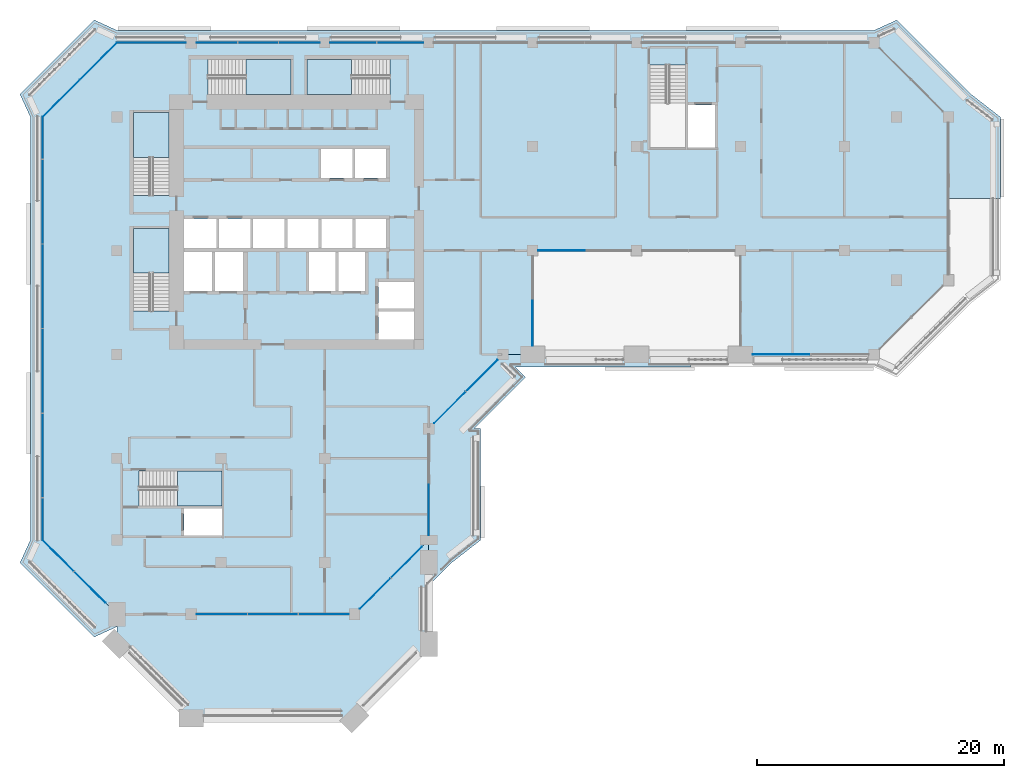
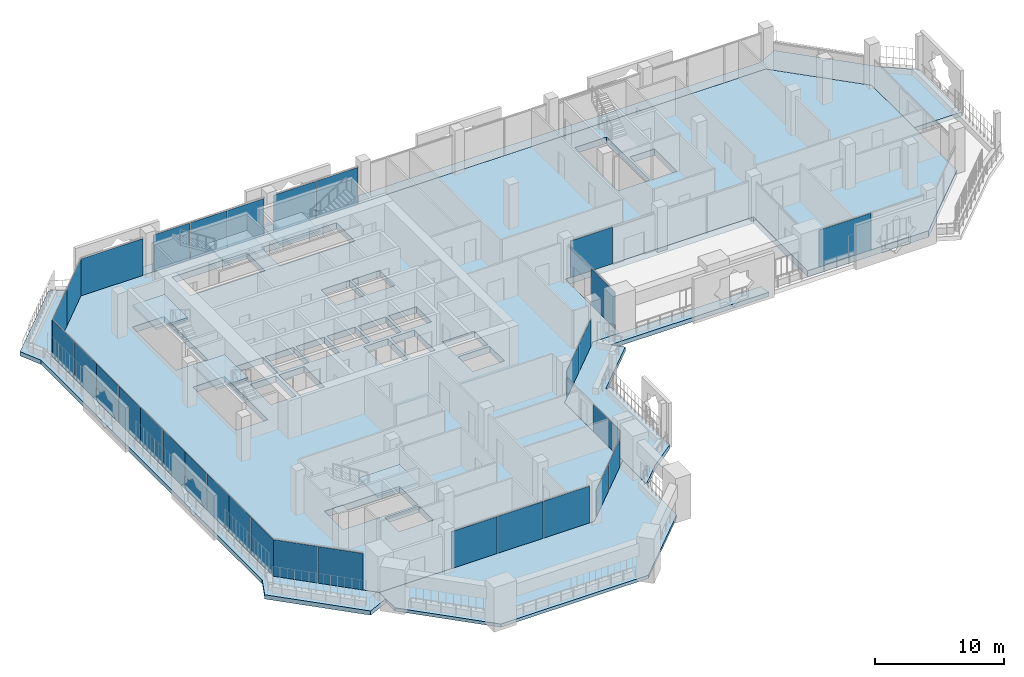
# One storey, part 10 of 24: 31 plates, 9 slabs, 16 elements without a shape of their own.
"""IFC4 building model written with IfcOpenShell, lengths in metres."""

from ifc_helpers import new_model, si_unit, direction, frame, origin, origin_2d, place, context, subcontext, project, spatial, polyline, rectangle, outline, extrude, material, layer, layer_set, type_object, element, aggregate, save


model = new_model("IFC4")

# Units and contexts
model_context = context("Model", 3, precision=1e-05, world=origin(), true_north=direction((0.0, 1.0)))
body_context = subcontext(model_context, "Body", "Model", "MODEL_VIEW")
ifc_project = project(units=[si_unit("LENGTHUNIT", "METRE"), si_unit("AREAUNIT", "SQUARE_METRE"), si_unit("VOLUMEUNIT", "CUBIC_METRE"), si_unit("PLANEANGLEUNIT", "RADIAN"), si_unit("MASSUNIT", "GRAM", prefix="KILO")], contexts=[model_context])

# Site, building, storey
site_placement = place(None, origin())
site = spatial("IfcSite", under=ifc_project, at=site_placement, CompositionType="ELEMENT")
building_placement = place(site_placement, origin())
building = spatial("IfcBuilding", under=site, at=building_placement, Name="Kawkab Arch Medical Tower", CompositionType="ELEMENT")
storey_placement = place(building_placement, frame((0.0, 0.0, 218.0)))
storey = spatial("IfcBuildingStorey", under=building, at=storey_placement, Name="L50", CompositionType="ELEMENT", Elevation=218.0)

# Curtain wall, plate
ifc_material_1 = material(Name="Bronze anodised aluminium curtain wall frame", Category="aluminium")
ifc_layer_1 = layer(ifc_material_1, 0.159912109375)
ifc_layer_set_1 = layer_set([ifc_layer_1], Name="Bronze anodised aluminium curtain wall frame")
curtain_wall_type_1 = type_object("IfcCurtainWallType", Name="CW1 ward curtain wall", PredefinedType="NOTDEFINED", material=ifc_layer_set_1)
placement_1 = place(storey_placement, origin())
curtain_wall_1 = element("IfcCurtainWall", 1, at=placement_1, inside=storey, type_object=curtain_wall_type_1, Name="CW1 Ward curtain wall R05", PredefinedType="NOTDEFINED")
ifc_material_2 = material(Name="Tinted insulating glass, bronze low-e coating", Category="glass")
ifc_layer_2 = layer(ifc_material_2, 0.031982421875)
ifc_layer_set_2 = layer_set([ifc_layer_2], Name="Tinted insulating glass, bronze low-e coating")
plate_type_1 = type_object("IfcPlateType", Name="CW1 glazing unit 32", PredefinedType="CURTAIN_PANEL", material=ifc_layer_set_2)
plate_1_placement = place(storey_placement, frame((53.722412109375, -25.199951171875, 0.0), z_axis=(0.0, 0.0, 1.0), x_axis=(1.0, 0.0, 0.0)))
plate_1 = element("IfcPlate", 2, at=plate_1_placement, type_object=plate_type_1, Name="CW1 glazing unit 1.1", PredefinedType="CURTAIN_PANEL", context=body_context, shape_type="SweptSolid", body=[
    extrude(rectangle(XDim=4.64501953125, YDim=0.031982421875, at=origin_2d()), origin(), (0.0, 0.0, 1.0), 3.47998046875),
])
aggregate(curtain_wall_1, [plate_1])

# Curtain wall, plates
curtain_wall_2 = element("IfcCurtainWall", 3, at=placement_1, inside=storey, type_object=curtain_wall_type_1, Name="CW1 Ward curtain wall R09", PredefinedType="NOTDEFINED")
plate_2_placement = place(storey_placement, frame((22.902587890625, 0.0, 0.0), z_axis=(0.0, 0.0, 1.0), x_axis=(-1.0, 0.0, 0.0)))
plate_2 = element("IfcPlate", 4, at=plate_2_placement, type_object=plate_type_1, Name="CW1 glazing unit 5.1", PredefinedType="CURTAIN_PANEL", context=body_context, shape_type="SweptSolid", body=[
    extrude(rectangle(XDim=3.7451171875, YDim=0.031982421875, at=origin_2d()), origin(), (0.0, 0.0, 1.0), 3.47998046875),
])
plate_3_placement = place(storey_placement, frame((19.097412109375, 0.0, 0.0), z_axis=(0.0, 0.0, 1.0), x_axis=(-1.0, 0.0, 0.0)))
plate_3 = element("IfcPlate", 5, at=plate_3_placement, type_object=plate_type_1, Name="CW1 glazing unit 5.2", PredefinedType="CURTAIN_PANEL", context=body_context, shape_type="SweptSolid", body=[
    extrude(rectangle(XDim=3.7451171875, YDim=0.031982421875, at=origin_2d()), origin(), (0.0, 0.0, 1.0), 3.47998046875),
])
plate_4_placement = place(storey_placement, frame((14.73583984375, 0.0, 0.0), z_axis=(0.0, 0.0, 1.0), x_axis=(-1.0, 0.0, 0.0)))
plate_4 = element("IfcPlate", 6, at=plate_4_placement, type_object=plate_type_1, Name="CW1 glazing unit 6.1", PredefinedType="CURTAIN_PANEL", context=body_context, shape_type="SweptSolid", body=[
    extrude(rectangle(XDim=3.2783203125, YDim=0.031982421875, at=origin_2d()), origin(), (0.0, 0.0, 1.0), 3.47998046875),
])
plate_5_placement = place(storey_placement, frame((11.41259765625, 0.0, 0.0), z_axis=(0.0, 0.0, 1.0), x_axis=(-1.0, 0.0, 0.0)))
plate_5 = element("IfcPlate", 7, at=plate_5_placement, type_object=plate_type_1, Name="CW1 glazing unit 6.2", PredefinedType="CURTAIN_PANEL", context=body_context, shape_type="SweptSolid", body=[
    extrude(rectangle(XDim=3.248291015625, YDim=0.031982421875, at=origin_2d()), origin(), (0.0, 0.0, 1.0), 3.47998046875),
])
plate_6_placement = place(storey_placement, frame((8.089111328125, 0.0, 0.0), z_axis=(0.0, 0.0, 1.0), x_axis=(-1.0, 0.0, 0.0)))
plate_6 = element("IfcPlate", 8, at=plate_6_placement, type_object=plate_type_1, Name="CW1 glazing unit 6.3", PredefinedType="CURTAIN_PANEL", context=body_context, shape_type="SweptSolid", body=[
    extrude(rectangle(XDim=3.2783203125, YDim=0.031982421875, at=origin_2d()), origin(), (0.0, 0.0, 1.0), 3.47998046875),
])
plate_7_placement = place(storey_placement, frame((2.77490234375, 0.0, 0.0), z_axis=(0.0, 0.0, 1.0), x_axis=(-1.0, 0.0, 0.0)))
plate_7 = element("IfcPlate", 9, at=plate_7_placement, type_object=plate_type_1, Name="CW1 glazing unit 7.1", PredefinedType="CURTAIN_PANEL", context=body_context, shape_type="SweptSolid", body=[
    extrude(rectangle(XDim=5.550048828125, YDim=0.031982421875, at=origin_2d()), origin(), (0.0, 0.0, 1.0), 3.47998046875),
])
aggregate(curtain_wall_2, [plate_2, plate_3, plate_4, plate_5, plate_6, plate_7])

curtain_wall_3 = element("IfcCurtainWall", 10, at=placement_1, inside=storey, type_object=curtain_wall_type_1, Name="CW1 Ward curtain wall R11", PredefinedType="NOTDEFINED")
plate_8_placement = place(storey_placement, frame((-6.0, -7.695068359375, 0.0), z_axis=(0.0, 0.0, 1.0), x_axis=(0.0, -1.0, 0.0)))
plate_8 = element("IfcPlate", 11, at=plate_8_placement, type_object=plate_type_1, Name="CW1 glazing unit 1.1", PredefinedType="CURTAIN_PANEL", context=body_context, shape_type="SweptSolid", body=[
    extrude(rectangle(XDim=3.389892578125, YDim=0.031982421875, at=origin_2d()), origin(), (0.0, 0.0, 1.0), 3.47998046875),
])
plate_9_placement = place(storey_placement, frame((-6.0, -11.14501953125, 0.0), z_axis=(0.0, 0.0, 1.0), x_axis=(0.0, -1.0, 0.0)))
plate_9 = element("IfcPlate", 12, at=plate_9_placement, type_object=plate_type_1, Name="CW1 glazing unit 1.2", PredefinedType="CURTAIN_PANEL", context=body_context, shape_type="SweptSolid", body=[
    extrude(rectangle(XDim=3.389892578125, YDim=0.031982421875, at=origin_2d()), origin(), (0.0, 0.0, 1.0), 3.47998046875),
])
plate_10_placement = place(storey_placement, frame((-6.0, -14.534912109375, 0.0), z_axis=(0.0, 0.0, 1.0), x_axis=(0.0, -1.0, 0.0)))
plate_10 = element("IfcPlate", 13, at=plate_10_placement, type_object=plate_type_1, Name="CW1 glazing unit 2.1", PredefinedType="CURTAIN_PANEL", context=body_context, shape_type="SweptSolid", body=[
    extrude(rectangle(XDim=3.389892578125, YDim=0.031982421875, at=origin_2d()), origin(), (0.0, 0.0, 1.0), 3.47998046875),
])
plate_11_placement = place(storey_placement, frame((-6.0, -17.985107421875, 0.0), z_axis=(0.0, 0.0, 1.0), x_axis=(0.0, -1.0, 0.0)))
plate_11 = element("IfcPlate", 14, at=plate_11_placement, type_object=plate_type_1, Name="CW1 glazing unit 2.2", PredefinedType="CURTAIN_PANEL", context=body_context, shape_type="SweptSolid", body=[
    extrude(rectangle(XDim=3.389892578125, YDim=0.031982421875, at=origin_2d()), origin(), (0.0, 0.0, 1.0), 3.47998046875),
])
plate_12_placement = place(storey_placement, frame((-6.0, -21.375, 0.0), z_axis=(0.0, 0.0, 1.0), x_axis=(0.0, -1.0, 0.0)))
plate_12 = element("IfcPlate", 15, at=plate_12_placement, type_object=plate_type_1, Name="CW1 glazing unit 3.1", PredefinedType="CURTAIN_PANEL", context=body_context, shape_type="SweptSolid", body=[
    extrude(rectangle(XDim=3.389892578125, YDim=0.031982421875, at=origin_2d()), origin(), (0.0, 0.0, 1.0), 3.47998046875),
])
plate_13_placement = place(storey_placement, frame((-6.0, -24.824951171875, 0.0), z_axis=(0.0, 0.0, 1.0), x_axis=(0.0, -1.0, 0.0)))
plate_13 = element("IfcPlate", 16, at=plate_13_placement, type_object=plate_type_1, Name="CW1 glazing unit 3.2", PredefinedType="CURTAIN_PANEL", context=body_context, shape_type="SweptSolid", body=[
    extrude(rectangle(XDim=3.389892578125, YDim=0.031982421875, at=origin_2d()), origin(), (0.0, 0.0, 1.0), 3.47998046875),
])
plate_14_placement = place(storey_placement, frame((-6.0, -28.215087890625, 0.0), z_axis=(0.0, 0.0, 1.0), x_axis=(0.0, -1.0, 0.0)))
plate_14 = element("IfcPlate", 17, at=plate_14_placement, type_object=plate_type_1, Name="CW1 glazing unit 4.1", PredefinedType="CURTAIN_PANEL", context=body_context, shape_type="SweptSolid", body=[
    extrude(rectangle(XDim=3.389892578125, YDim=0.031982421875, at=origin_2d()), origin(), (0.0, 0.0, 1.0), 3.47998046875),
])
plate_15_placement = place(storey_placement, frame((-6.0, -31.6650390625, 0.0), z_axis=(0.0, 0.0, 1.0), x_axis=(0.0, -1.0, 0.0)))
plate_15 = element("IfcPlate", 18, at=plate_15_placement, type_object=plate_type_1, Name="CW1 glazing unit 4.2", PredefinedType="CURTAIN_PANEL", context=body_context, shape_type="SweptSolid", body=[
    extrude(rectangle(XDim=3.389892578125, YDim=0.031982421875, at=origin_2d()), origin(), (0.0, 0.0, 1.0), 3.47998046875),
])
plate_16_placement = place(storey_placement, frame((-6.0, -35.054931640625, 0.0), z_axis=(0.0, 0.0, 1.0), x_axis=(0.0, -1.0, 0.0)))
plate_16 = element("IfcPlate", 19, at=plate_16_placement, type_object=plate_type_1, Name="CW1 glazing unit 5.1", PredefinedType="CURTAIN_PANEL", context=body_context, shape_type="SweptSolid", body=[
    extrude(rectangle(XDim=3.389892578125, YDim=0.031982421875, at=origin_2d()), origin(), (0.0, 0.0, 1.0), 3.47998046875),
])
plate_17_placement = place(storey_placement, frame((-6.0, -38.5048828125, 0.0), z_axis=(0.0, 0.0, 1.0), x_axis=(0.0, -1.0, 0.0)))
plate_17 = element("IfcPlate", 20, at=plate_17_placement, type_object=plate_type_1, Name="CW1 glazing unit 5.2", PredefinedType="CURTAIN_PANEL", context=body_context, shape_type="SweptSolid", body=[
    extrude(rectangle(XDim=3.389892578125, YDim=0.031982421875, at=origin_2d()), origin(), (0.0, 0.0, 1.0), 3.47998046875),
])
aggregate(curtain_wall_3, [plate_8, plate_9, plate_10, plate_11, plate_12, plate_13, plate_14, plate_15, plate_16, plate_17])

curtain_wall_4 = element("IfcCurtainWall", 21, at=placement_1, inside=storey, type_object=curtain_wall_type_1, Name="CW1 Ward curtain wall R13", PredefinedType="NOTDEFINED")
plate_18_placement = place(storey_placement, frame((8.485107421875, -46.199951171875, 0.0), z_axis=(0.0, 0.0, 1.0), x_axis=(1.0, 0.0, 0.0)))
plate_18 = element("IfcPlate", 22, at=plate_18_placement, type_object=plate_type_1, Name="CW1 glazing unit 2.1", PredefinedType="CURTAIN_PANEL", context=body_context, shape_type="SweptSolid", body=[
    extrude(rectangle(XDim=4.070068359375, YDim=0.031982421875, at=origin_2d()), origin(), (0.0, 0.0, 1.0), 3.47998046875),
])
plate_19_placement = place(storey_placement, frame((12.60009765625, -46.199951171875, 0.0), z_axis=(0.0, 0.0, 1.0), x_axis=(1.0, 0.0, 0.0)))
plate_19 = element("IfcPlate", 23, at=plate_19_placement, type_object=plate_type_1, Name="CW1 glazing unit 2.2", PredefinedType="CURTAIN_PANEL", context=body_context, shape_type="SweptSolid", body=[
    extrude(rectangle(XDim=4.0400390625, YDim=0.031982421875, at=origin_2d()), origin(), (0.0, 0.0, 1.0), 3.47998046875),
])
plate_20_placement = place(storey_placement, frame((16.715087890625, -46.199951171875, 0.0), z_axis=(0.0, 0.0, 1.0), x_axis=(1.0, 0.0, 0.0)))
plate_20 = element("IfcPlate", 24, at=plate_20_placement, type_object=plate_type_1, Name="CW1 glazing unit 2.3", PredefinedType="CURTAIN_PANEL", context=body_context, shape_type="SweptSolid", body=[
    extrude(rectangle(XDim=4.070068359375, YDim=0.031982421875, at=origin_2d()), origin(), (0.0, 0.0, 1.0), 3.47998046875),
])
aggregate(curtain_wall_4, [plate_18, plate_19, plate_20])

# Curtain wall, plate
curtain_wall_5 = element("IfcCurtainWall", 25, at=placement_1, inside=storey, type_object=curtain_wall_type_1, Name="CW1 Ward curtain wall R15", PredefinedType="NOTDEFINED")
plate_21_placement = place(storey_placement, frame((25.199951171875, -37.762451171875, 0.0), z_axis=(0.0, 0.0, 1.0), x_axis=(0.0, 1.0, 0.0)))
plate_21 = element("IfcPlate", 26, at=plate_21_placement, type_object=plate_type_1, Name="CW1 glazing unit 1.1", PredefinedType="CURTAIN_PANEL", context=body_context, shape_type="SweptSolid", body=[
    extrude(rectangle(XDim=4.074951171875, YDim=0.031982421875, at=origin_2d()), origin(), (0.0, 0.0, 1.0), 2.580078125),
])
aggregate(curtain_wall_5, [plate_21])

# Curtain wall, plates
ifc_material_3 = material(Name="Bronze anodised aluminium curtain wall frame", Category="aluminium")
ifc_layer_3 = layer(ifc_material_3, 0.159912109375)
ifc_layer_set_3 = layer_set([ifc_layer_3], Name="Bronze anodised aluminium curtain wall frame")
curtain_wall_type_2 = type_object("IfcCurtainWallType", Name="CW2 chamfer curtain wall", PredefinedType="NOTDEFINED", material=ifc_layer_set_3)
curtain_wall_6 = element("IfcCurtainWall", 27, at=placement_1, inside=storey, type_object=curtain_wall_type_2, Name="CW2 Chamfer curtain wall R10", PredefinedType="NOTDEFINED")
ifc_material_4 = material(Name="Tinted insulating glass, bronze low-e coating", Category="glass")
ifc_layer_4 = layer(ifc_material_4, 0.031982421875)
ifc_layer_set_4 = layer_set([ifc_layer_4], Name="Tinted insulating glass, bronze low-e coating")
plate_type_2 = type_object("IfcPlateType", Name="CW2 glazing unit 32", PredefinedType="CURTAIN_PANEL", material=ifc_layer_set_4)
plate_22_placement = place(storey_placement, frame((-1.5, -1.5, 0.0), z_axis=(0.0, 0.0, 1.0), x_axis=(-0.707106781187, -0.707106781187, 0.0)))
plate_22 = element("IfcPlate", 28, at=plate_22_placement, type_object=plate_type_2, Name="CW2 glazing unit 1.1", PredefinedType="CURTAIN_PANEL", context=body_context, shape_type="SweptSolid", body=[
    extrude(rectangle(XDim=4.24267578125, YDim=0.031982421875, at=origin_2d()), origin(), (0.0, 0.0, 1.0), 3.4599609375),
])
plate_23_placement = place(storey_placement, frame((-4.5, -4.5, 0.0), z_axis=(0.0, 0.0, 1.0), x_axis=(-0.707106781187, -0.707106781187, 0.0)))
plate_23 = element("IfcPlate", 29, at=plate_23_placement, type_object=plate_type_2, Name="CW2 glazing unit 2.1", PredefinedType="CURTAIN_PANEL", context=body_context, shape_type="SweptSolid", body=[
    extrude(rectangle(XDim=4.24267578125, YDim=0.031982421875, at=origin_2d()), origin(), (0.0, 0.0, 1.0), 3.4599609375),
])
aggregate(curtain_wall_6, [plate_22, plate_23])

curtain_wall_7 = element("IfcCurtainWall", 30, at=placement_1, inside=storey, type_object=curtain_wall_type_2, Name="CW2 Chamfer curtain wall R12", PredefinedType="NOTDEFINED")
plate_24_placement = place(storey_placement, frame((-4.7431640625, -41.456787109375, 0.0), z_axis=(0.0, 0.0, 1.0), x_axis=(0.707106781187, -0.707106781187, 0.0)))
plate_24 = element("IfcPlate", 31, at=plate_24_placement, type_object=plate_type_2, Name="CW2 glazing unit 1.1", PredefinedType="CURTAIN_PANEL", context=body_context, shape_type="SweptSolid", body=[
    extrude(rectangle(XDim=3.5546875, YDim=0.031982421875, at=origin_2d()), origin(), (0.0, 0.0, 1.0), 3.4599609375),
])
plate_25_placement = place(storey_placement, frame((-2.187255859375, -44.012939453125, 0.0), z_axis=(0.0, 0.0, 1.0), x_axis=(0.707106781187, -0.707106781187, 0.0)))
plate_25 = element("IfcPlate", 32, at=plate_25_placement, type_object=plate_type_2, Name="CW2 glazing unit 1.2", PredefinedType="CURTAIN_PANEL", context=body_context, shape_type="SweptSolid", body=[
    extrude(rectangle(XDim=3.5546875, YDim=0.031982421875, at=origin_2d()), origin(), (0.0, 0.0, 1.0), 3.4599609375),
])
aggregate(curtain_wall_7, [plate_24, plate_25])

curtain_wall_8 = element("IfcCurtainWall", 33, at=placement_1, inside=storey, type_object=curtain_wall_type_2, Name="CW2 Chamfer curtain wall R14", PredefinedType="NOTDEFINED")
plate_26_placement = place(storey_placement, frame((20.884765625, -44.51513671875, 0.0), z_axis=(0.0, 0.0, 1.0), x_axis=(0.707106781187, 0.707106781187, 0.0)))
plate_26 = element("IfcPlate", 34, at=plate_26_placement, type_object=plate_type_2, Name="CW2 glazing unit 1.1", PredefinedType="CURTAIN_PANEL", context=body_context, shape_type="SweptSolid", body=[
    extrude(rectangle(XDim=3.49267578125, YDim=0.031982421875, at=origin_2d()), origin(), (0.0, 0.0, 1.0), 2.56005859375),
])
plate_27_placement = place(storey_placement, frame((23.39697265625, -42.0029296875, 0.0), z_axis=(0.0, 0.0, 1.0), x_axis=(0.707106781187, 0.707106781187, 0.0)))
plate_27 = element("IfcPlate", 35, at=plate_27_placement, type_object=plate_type_2, Name="CW2 glazing unit 1.2", PredefinedType="CURTAIN_PANEL", context=body_context, shape_type="SweptSolid", body=[
    extrude(rectangle(XDim=3.49267578125, YDim=0.031982421875, at=origin_2d()), origin(), (0.0, 0.0, 1.0), 2.56005859375),
])
aggregate(curtain_wall_8, [plate_26, plate_27])

curtain_wall_9 = element("IfcCurtainWall", 36, at=placement_1, inside=storey, type_object=curtain_wall_type_2, Name="CW2 Chamfer curtain wall R16", PredefinedType="NOTDEFINED")
plate_28_placement = place(storey_placement, frame((26.914306640625, -29.485595703125, 0.0), z_axis=(0.0, 0.0, 1.0), x_axis=(0.707106781187, 0.707106781187, 0.0)))
plate_28 = element("IfcPlate", 37, at=plate_28_placement, type_object=plate_type_2, Name="CW2 glazing unit 1.1", PredefinedType="CURTAIN_PANEL", context=body_context, shape_type="SweptSolid", body=[
    extrude(rectangle(XDim=3.576171875, YDim=0.031982421875, at=origin_2d()), origin(), (0.0, 0.0, 1.0), 2.56005859375),
])
plate_29_placement = place(storey_placement, frame((29.485595703125, -26.914306640625, 0.0), z_axis=(0.0, 0.0, 1.0), x_axis=(0.707106781187, 0.707106781187, 0.0)))
plate_29 = element("IfcPlate", 38, at=plate_29_placement, type_object=plate_type_2, Name="CW2 glazing unit 1.2", PredefinedType="CURTAIN_PANEL", context=body_context, shape_type="SweptSolid", body=[
    extrude(rectangle(XDim=3.576171875, YDim=0.031982421875, at=origin_2d()), origin(), (0.0, 0.0, 1.0), 2.56005859375),
])
aggregate(curtain_wall_9, [plate_28, plate_29])

# Curtain wall, plate
ifc_material_5 = material(Name="Bronze anodised aluminium curtain wall frame", Category="aluminium")
ifc_layer_5 = layer(ifc_material_5, 0.159912109375)
ifc_layer_set_5 = layer_set([ifc_layer_5], Name="Bronze anodised aluminium curtain wall frame")
curtain_wall_type_3 = type_object("IfcCurtainWallType", Name="CW3 sky garden curtain wall", PredefinedType="NOTDEFINED", material=ifc_layer_set_5)
curtain_wall_10 = element("IfcCurtainWall", 39, at=placement_1, inside=storey, type_object=curtain_wall_type_3, Name="CW3 Sky garden curtain wall R02", PredefinedType="NOTDEFINED")
ifc_material_6 = material(Name="Tinted laminated insulating glass, grey-green", Category="glass")
ifc_layer_6 = layer(ifc_material_6, 0.035888671875)
ifc_layer_set_6 = layer_set([ifc_layer_6], Name="Tinted laminated insulating glass, grey-green")
plate_type_3 = type_object("IfcPlateType", Name="CW3 glazing unit 36", PredefinedType="CURTAIN_PANEL", material=ifc_layer_set_6)
plate_30_placement = place(storey_placement, frame((33.60009765625, -22.6875, 0.0), z_axis=(0.0, 0.0, 1.0), x_axis=(0.0, 1.0, 0.0)))
plate_30 = element("IfcPlate", 40, at=plate_30_placement, type_object=plate_type_3, Name="CW3 glazing unit 1.1", PredefinedType="CURTAIN_PANEL", context=body_context, shape_type="SweptSolid", body=[
    extrude(rectangle(XDim=3.625, YDim=0.035888671875, at=origin_2d()), origin(), (0.0, 0.0, 1.0), 3.4599609375),
])
aggregate(curtain_wall_10, [plate_30])

curtain_wall_11 = element("IfcCurtainWall", 41, at=placement_1, inside=storey, type_object=curtain_wall_type_3, Name="CW3 Sky garden curtain wall R03", PredefinedType="NOTDEFINED")
plate_31_placement = place(storey_placement, frame((35.925048828125, -16.800048828125, 0.0), z_axis=(0.0, 0.0, 1.0), x_axis=(1.0, 0.0, 0.0)))
plate_31 = element("IfcPlate", 42, at=plate_31_placement, type_object=plate_type_3, Name="CW3 glazing unit 1.1", PredefinedType="CURTAIN_PANEL", context=body_context, shape_type="SweptSolid", body=[
    extrude(rectangle(XDim=3.75, YDim=0.035888671875, at=origin_2d()), origin(), (0.0, 0.0, 1.0), 3.4599609375),
])
aggregate(curtain_wall_11, [plate_31])

# Stair, slab
ifc_material_7 = material(Name="Concrete C40/50", Category="concrete")
stair_type = type_object("IfcStairType", Name="Exit stair 1350", PredefinedType="HALF_TURN_STAIR", material=ifc_material_7)
stair_1 = element("IfcStair", 43, at=placement_1, inside=storey, type_object=stair_type, Name="L50 Exit stair ST1", PredefinedType="HALF_TURN_STAIR")
ifc_material_8 = material(Name="Concrete C40/50", Category="concrete")
ifc_layer_7 = layer(ifc_material_8, 0.199951171875)
ifc_layer_set_7 = layer_set([ifc_layer_7], Name="Concrete C40/50")
slab_type_1 = type_object("IfcSlabType", Name="Exit stair landing 200", PredefinedType="LANDING", material=ifc_layer_set_7)
placement_2 = place(storey_placement, frame((0.0, 0.0, 1.89990234375)))
slab_1 = element("IfcSlab", 44, at=placement_2, type_object=slab_type_1, Name="ST1 landing 1", PredefinedType="LANDING", context=body_context, shape_type="SweptSolid", body=[
    extrude(outline(polyline([(4.199951171875, -9.27001953125), (4.199951171875, -5.64990234375), (1.35009765625, -5.64990234375), (1.35009765625, -9.27001953125), (4.199951171875, -9.27001953125)])), origin(), (0.0, 0.0, 1.0), 0.2001953125),
])
aggregate(stair_1, [slab_1])

stair_2 = element("IfcStair", 45, at=placement_1, inside=storey, type_object=stair_type, Name="L50 Exit stair ST2", PredefinedType="HALF_TURN_STAIR")
slab_2 = element("IfcSlab", 46, at=placement_2, type_object=slab_type_1, Name="ST2 landing 1", PredefinedType="LANDING", context=body_context, shape_type="SweptSolid", body=[
    extrude(outline(polyline([(4.199951171875, -18.6201171875), (4.199951171875, -15.0), (1.35009765625, -15.0), (1.35009765625, -18.6201171875), (4.199951171875, -18.6201171875)])), origin(), (0.0, 0.0, 1.0), 0.2001953125),
])
aggregate(stair_2, [slab_2])

stair_3 = element("IfcStair", 47, at=placement_1, inside=storey, type_object=stair_type, Name="L50 Exit stair ST3", PredefinedType="HALF_TURN_STAIR")
slab_3 = element("IfcSlab", 48, at=placement_2, type_object=slab_type_1, Name="ST3 landing 1", PredefinedType="LANDING", context=body_context, shape_type="SweptSolid", body=[
    extrude(outline(polyline([(10.429931640625, -4.199951171875), (14.050048828125, -4.199951171875), (14.050048828125, -1.35009765625), (10.429931640625, -1.35009765625), (10.429931640625, -4.199951171875)])), origin(), (0.0, 0.0, 1.0), 0.2001953125),
])
aggregate(stair_3, [slab_3])

stair_4 = element("IfcStair", 49, at=placement_1, inside=storey, type_object=stair_type, Name="L50 Exit stair ST4", PredefinedType="HALF_TURN_STAIR")
slab_4 = element("IfcSlab", 50, at=placement_2, type_object=slab_type_1, Name="ST4 landing 1", PredefinedType="LANDING", context=body_context, shape_type="SweptSolid", body=[
    extrude(outline(polyline([(18.969970703125, -1.35009765625), (15.35009765625, -1.35009765625), (15.35009765625, -4.199951171875), (18.969970703125, -4.199951171875), (18.969970703125, -1.35009765625)])), origin(), (0.0, 0.0, 1.0), 0.2001953125),
])
aggregate(stair_4, [slab_4])

stair_5 = element("IfcStair", 51, at=placement_1, inside=storey, type_object=stair_type, Name="L50 Exit stair ST6", PredefinedType="HALF_TURN_STAIR")
slab_5 = element("IfcSlab", 52, at=placement_2, type_object=slab_type_1, Name="ST6 landing 1", PredefinedType="LANDING", context=body_context, shape_type="SweptSolid", body=[
    extrude(outline(polyline([(4.8798828125, -37.449951171875), (8.5, -37.449951171875), (8.5, -34.60009765625), (4.8798828125, -34.60009765625), (4.8798828125, -37.449951171875)])), origin(), (0.0, 0.0, 1.0), 0.2001953125),
])
aggregate(stair_5, [slab_5])

# Slabs
ifc_material_9 = material(Name="Concrete C45/55", Category="concrete")
ifc_layer_8 = layer(ifc_material_9, 0.60009765625)
ifc_layer_set_8 = layer_set([ifc_layer_8], Name="Concrete C45/55")
slab_type_2 = type_object("IfcSlabType", Name="Flat plate 600 C45/55", PredefinedType="FLOOR", material=ifc_layer_set_8)
slab_6_placement = place(storey_placement, frame((0.0, 0.0, -0.60009765625)))
element("IfcSlab", 53, at=slab_6_placement, inside=storey, type_object=slab_type_2, Name="Floor slab L50", PredefinedType="FLOOR", context=body_context, shape_type="SweptSolid", body=[
    extrude(outline(polyline([(25.199951171875, -31.199951171875), (25.199951171875, -40.199951171875), (19.199951171875, -46.199951171875), (0.0, -46.199951171875), (-6.0, -40.199951171875), (-6.0, -6.0), (0.0, 0.0), (61.199951171875, 0.0), (67.199951171875, -6.0), (67.199951171875, -19.199951171875), (61.199951171875, -25.199951171875), (50.39990234375, -25.199951171875), (50.39990234375, -16.800048828125), (33.60009765625, -16.800048828125), (33.60009765625, -25.199951171875), (31.199951171875, -25.199951171875), (25.199951171875, -31.199951171875)]), holes=[polyline([(5.425048828125, -37.64990234375), (5.425048828125, -39.85009765625), (8.5, -39.85009765625), (8.5, -37.64990234375), (5.425048828125, -37.64990234375)]), polyline([(8.5, -37.449951171875), (8.5, -34.60009765625), (1.800048828125, -34.60009765625), (1.800048828125, -37.449951171875), (8.5, -37.449951171875)]), polyline([(5.39990234375, -20.050048828125), (7.675048828125, -20.050048828125), (7.675048828125, -16.89990234375), (5.39990234375, -16.89990234375), (5.39990234375, -20.050048828125)]), polyline([(10.199951171875, -20.050048828125), (10.199951171875, -16.89990234375), (7.925048828125, -16.89990234375), (7.925048828125, -20.050048828125), (10.199951171875, -20.050048828125)]), polyline([(4.199951171875, -21.699951171875), (4.199951171875, -15.0), (1.35009765625, -15.0), (1.35009765625, -21.699951171875), (4.199951171875, -21.699951171875)]), polyline([(5.39990234375, -16.60009765625), (8.050048828125, -16.60009765625), (8.050048828125, -14.25), (5.39990234375, -14.25), (5.39990234375, -16.60009765625)]), polyline([(8.25, -14.25), (8.25, -16.60009765625), (10.800048828125, -16.60009765625), (10.800048828125, -14.25), (8.25, -14.25)]), polyline([(11.0, -14.25), (11.0, -16.60009765625), (13.52490234375, -16.60009765625), (13.52490234375, -14.25), (11.0, -14.25)]), polyline([(16.27490234375, -14.25), (13.77490234375, -14.25), (13.77490234375, -16.60009765625), (16.27490234375, -16.60009765625), (16.27490234375, -14.25)]), polyline([(4.199951171875, -12.35009765625), (4.199951171875, -5.64990234375), (1.35009765625, -5.64990234375), (1.35009765625, -12.35009765625), (4.199951171875, -12.35009765625)]), polyline([(7.35009765625, -4.199951171875), (14.050048828125, -4.199951171875), (14.050048828125, -1.35009765625), (7.35009765625, -1.35009765625), (7.35009765625, -4.199951171875)]), polyline([(24.0, -21.72509765625), (21.14990234375, -21.72509765625), (21.14990234375, -24.0), (24.0, -24.0), (24.0, -21.72509765625)]), polyline([(24.0, -19.35009765625), (21.14990234375, -19.35009765625), (21.14990234375, -21.47509765625), (24.0, -21.47509765625), (24.0, -19.35009765625)]), polyline([(17.675048828125, -16.89990234375), (15.52490234375, -16.89990234375), (15.52490234375, -20.050048828125), (17.675048828125, -20.050048828125), (17.675048828125, -16.89990234375)]), polyline([(20.050048828125, -16.89990234375), (17.925048828125, -16.89990234375), (17.925048828125, -20.050048828125), (20.050048828125, -20.050048828125), (20.050048828125, -16.89990234375)]), polyline([(16.52490234375, -16.60009765625), (19.02490234375, -16.60009765625), (19.02490234375, -14.25), (16.52490234375, -14.25), (16.52490234375, -16.60009765625)]), polyline([(21.75, -16.60009765625), (21.75, -14.25), (19.27490234375, -14.25), (19.27490234375, -16.60009765625), (21.75, -16.60009765625)]), polyline([(19.050048828125, -10.949951171875), (19.050048828125, -8.60009765625), (16.5, -8.60009765625), (16.5, -10.949951171875), (19.050048828125, -10.949951171875)]), polyline([(21.75, -10.949951171875), (21.75, -8.60009765625), (19.25, -8.60009765625), (19.25, -10.949951171875), (21.75, -10.949951171875)]), polyline([(46.14990234375, -8.5), (48.35009765625, -8.5), (48.35009765625, -5.02490234375), (46.14990234375, -5.02490234375), (46.14990234375, -8.5)]), polyline([(43.10009765625, -1.800048828125), (43.10009765625, -8.5), (45.949951171875, -8.5), (45.949951171875, -1.800048828125), (43.10009765625, -1.800048828125)]), polyline([(22.050048828125, -1.35009765625), (15.35009765625, -1.35009765625), (15.35009765625, -4.199951171875), (22.050048828125, -4.199951171875), (22.050048828125, -1.35009765625)])]), origin(), (0.0, 0.0, 1.0), 0.60009765625),
])
ifc_material_10 = material(Name="Concrete C40/50", Category="concrete")
ifc_layer_9 = layer(ifc_material_10, 0.39990234375)
ifc_layer_set_9 = layer_set([ifc_layer_9], Name="Concrete C40/50")
slab_type_3 = type_object("IfcSlabType", Name="Loggia slab 400", PredefinedType="FLOOR", material=ifc_layer_set_9)
placement_3 = place(storey_placement, frame((0.0, 0.0, -0.39990234375)))
element("IfcSlab", 54, at=placement_3, inside=storey, type_object=slab_type_3, Name="Loggia slab L50.1", PredefinedType="FLOOR", context=body_context, shape_type="SweptSolid", body=[
    extrude(outline(polyline([(25.199951171875, -40.199951171875), (25.199951171875, -31.199951171875), (31.199951171875, -25.199951171875), (33.60693359375, -25.199951171875), (33.60693359375, -25.200927734375), (46.199951171875, -25.200927734375), (46.365966796875, -26.199951171875), (32.198974609375, -26.199951171875), (33.037109375, -27.0380859375), (28.8759765625, -31.199951171875), (29.39990234375, -31.199951171875), (29.39990234375, -40.199951171875), (27.0380859375, -42.0380859375), (25.200927734375, -43.875), (25.200927734375, -40.220947265625), (25.199951171875, -40.220947265625), (25.199951171875, -40.218994140625), (25.197998046875, -40.217041015625), (25.197021484375, -40.216064453125), (25.196044921875, -40.215087890625), (25.194091796875, -40.215087890625), (25.194091796875, -40.214111328125), (25.18798828125, -40.214111328125), (25.199951171875, -40.199951171875)])), origin(), (0.0, 0.0, 1.0), 0.39990234375),
])
element("IfcSlab", 55, at=placement_3, inside=storey, type_object=slab_type_3, Name="Loggia slab L50.4", PredefinedType="FLOOR", context=body_context, shape_type="SweptSolid", body=[
    extrude(outline(polyline([(-7.837890625, -42.037109375), (-7.0, -40.199951171875), (-7.0, -6.0), (-7.837890625, -4.1630859375), (-1.8369140625, 1.837890625), (0.0, 1.0), (61.199951171875, 1.0), (63.037109375, 1.837890625), (69.0380859375, -4.162109375), (71.39892578125, -5.9990234375), (71.39892578125, -6.0009765625), (71.39990234375, -6.0009765625), (71.39990234375, -12.59912109375), (71.39892578125, -12.59912109375), (71.39892578125, -12.60009765625), (67.201904296875, -12.60009765625), (67.201904296875, -12.59912109375), (67.200927734375, -12.59912109375), (67.200927734375, -6.0), (61.199951171875, 0.0009765625), (0.0, 0.0009765625), (-6.0, -6.0), (-6.0, -40.199951171875), (0.0, -46.200927734375), (0.001953125, -46.200927734375), (0.001953125, -46.201904296875), (0.0009765625, -46.201904296875), (0.0009765625, -46.2041015625), (0.0, -46.2041015625), (0.0, -46.2060546875), (-0.0009765625, -46.2060546875), (-0.0009765625, -47.198974609375), (-0.001953125, -47.198974609375), (-0.001953125, -47.199951171875), (-1.8369140625, -48.0380859375), (-7.837890625, -42.037109375)])), origin(), (0.0, 0.0, 1.0), 0.39990234375),
])
ifc_material_11 = material(Name="Concrete C40/50", Category="concrete")
ifc_layer_10 = layer(ifc_material_11, 0.300048828125)
ifc_layer_set_10 = layer_set([ifc_layer_10], Name="Concrete C40/50")
slab_type_4 = type_object("IfcSlabType", Name="Terrace slab 300", PredefinedType="FLOOR", material=ifc_layer_set_10)
slab_9_placement = place(storey_placement, frame((0.0, 0.0, -0.300048828125)))
element("IfcSlab", 56, at=slab_9_placement, inside=storey, type_object=slab_type_4, Name="Sky garden slab L50.1", PredefinedType="FLOOR", context=body_context, shape_type="SweptSolid", body=[
    extrude(outline(polyline([(25.199951171875, -48.597900390625), (25.199951171875, -48.596923828125), (25.199951171875, -48.595947265625), (25.199951171875, -40.22509765625), (25.199951171875, -40.22412109375), (25.199951171875, -40.222900390625), (25.199951171875, -40.221923828125), (25.198974609375, -40.220947265625), (25.198974609375, -40.219970703125), (25.197998046875, -40.218994140625), (25.197021484375, -40.218017578125), (25.196044921875, -40.217041015625), (25.195068359375, -40.216064453125), (25.194091796875, -40.216064453125), (25.193115234375, -40.215087890625), (25.19189453125, -40.215087890625), (25.19091796875, -40.215087890625), (25.18994140625, -40.215087890625), (25.18896484375, -40.215087890625), (25.18798828125, -40.215087890625), (25.18701171875, -40.215087890625), (25.18603515625, -40.216064453125), (25.18505859375, -40.216064453125), (25.18408203125, -40.217041015625), (25.18310546875, -40.218017578125), (19.199951171875, -46.199951171875), (19.199951171875, -46.200927734375), (0.010009765625, -46.200927734375), (0.009033203125, -46.200927734375), (0.008056640625, -46.200927734375), (0.007080078125, -46.200927734375), (0.006103515625, -46.200927734375), (0.0048828125, -46.201904296875), (0.00390625, -46.201904296875), (0.00390625, -46.202880859375), (0.0029296875, -46.202880859375), (0.001953125, -46.2041015625), (0.001953125, -46.205078125), (0.0009765625, -46.2060546875), (0.0009765625, -46.20703125), (0.0, -46.2080078125), (0.0, -46.208984375), (0.0, -46.2099609375), (0.0, -46.2109375), (0.0, -48.595947265625), (0.0, -48.596923828125), (0.0, -48.597900390625), (0.0, -48.59912109375), (0.0009765625, -48.60009765625), (0.0009765625, -48.60107421875), (0.001953125, -48.60107421875), (0.001953125, -48.60205078125), (0.0029296875, -48.60302734375), (5.9970703125, -54.596923828125), (5.998046875, -54.597900390625), (5.9990234375, -54.597900390625), (5.9990234375, -54.59912109375), (6.0, -54.59912109375), (6.0009765625, -54.60009765625), (6.001953125, -54.60009765625), (6.0029296875, -54.60009765625), (6.00390625, -54.60009765625), (19.196044921875, -54.60009765625), (19.197021484375, -54.60009765625), (19.197998046875, -54.60009765625), (19.198974609375, -54.60009765625), (19.199951171875, -54.59912109375), (19.200927734375, -54.59912109375), (19.200927734375, -54.597900390625), (19.201904296875, -54.597900390625), (19.202880859375, -54.596923828125), (25.197021484375, -48.60302734375), (25.197998046875, -48.60205078125), (25.197998046875, -48.60107421875), (25.198974609375, -48.60107421875), (25.198974609375, -48.60009765625), (25.199951171875, -48.59912109375), (25.199951171875, -48.597900390625)])), origin(), (0.0, 0.0, 1.0), 0.300048828125),
])

save(model, "model.ifc")
